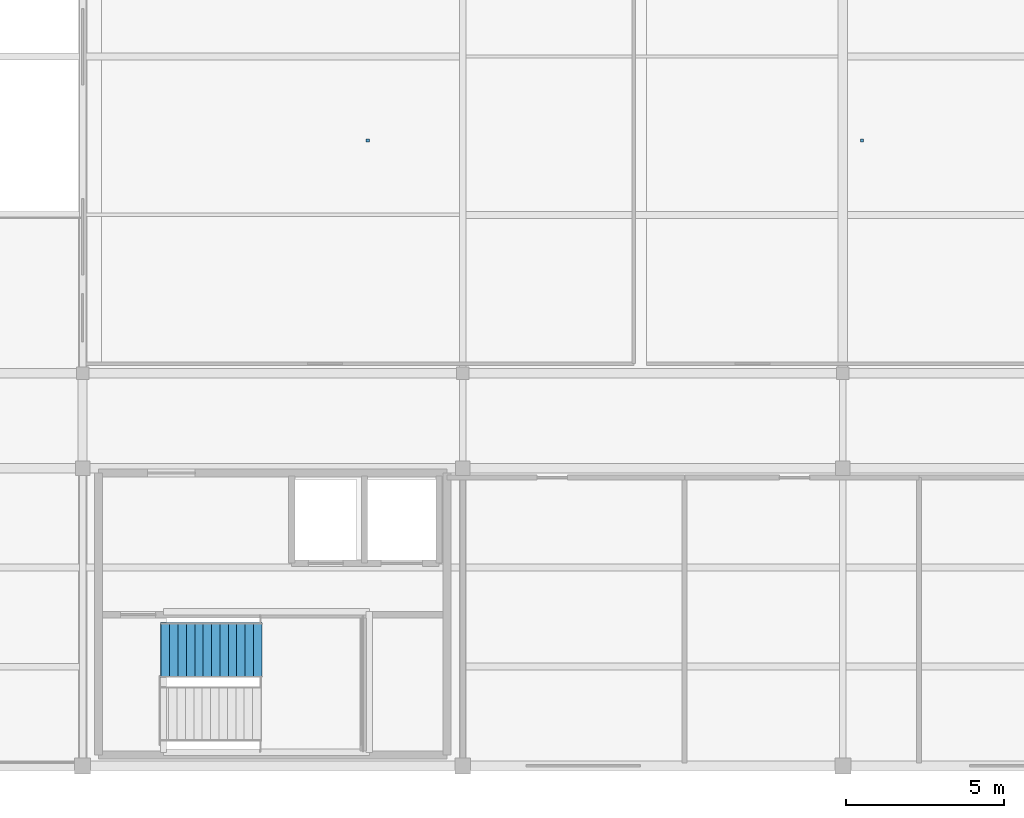
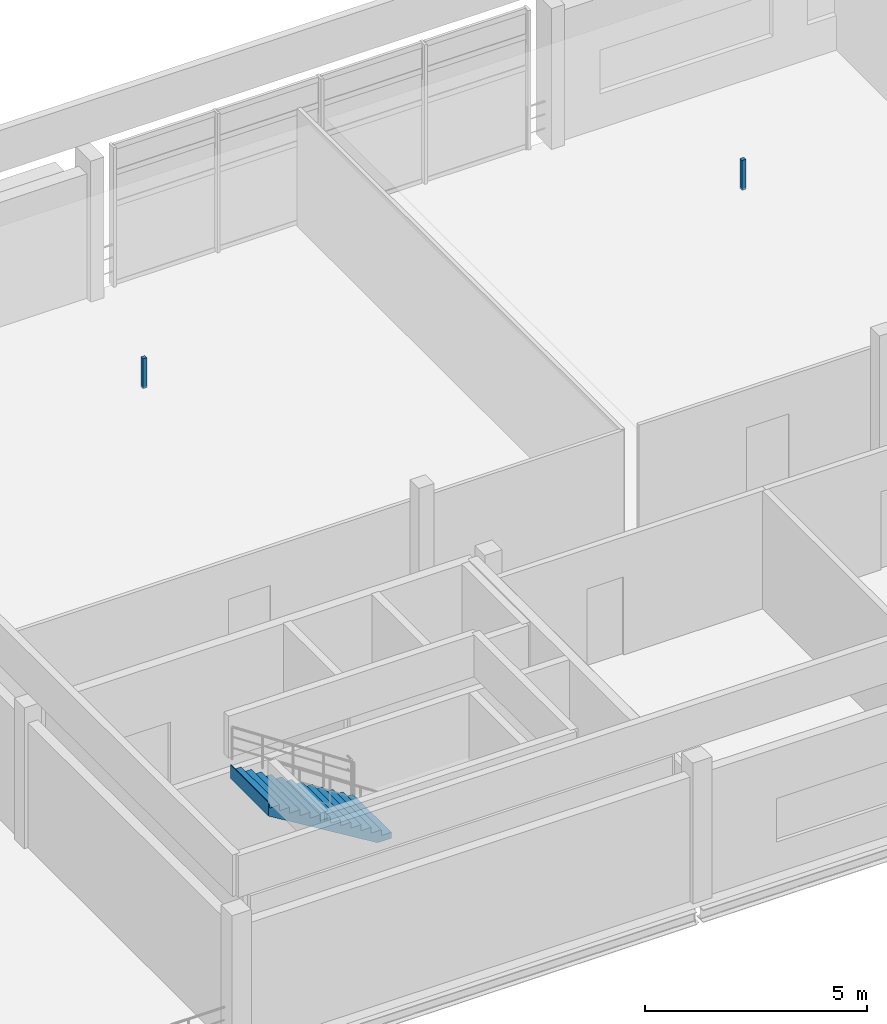
# One storey, part 7 of 9: 2 discrete accessories, 1 stair flight, 1 element without a shape of its own.
"""IFC4 building model written with IfcOpenShell, lengths in metres."""

from ifc_helpers import new_model, si_unit, direction, frame, origin, origin_2d, place, context, subcontext, project, spatial, polyline, rectangle, outline, extrude, material, layer, layer_set, type_object, element, aggregate, save


model = new_model("IFC4")

# Units and contexts
model_context = context("Model", 3, precision=1e-05, world=origin(), true_north=direction((0.0, 1.0)))
body_context = subcontext(model_context, "Body", "Model", "MODEL_VIEW")
ifc_project = project(units=[si_unit("LENGTHUNIT", "METRE"), si_unit("AREAUNIT", "SQUARE_METRE"), si_unit("VOLUMEUNIT", "CUBIC_METRE"), si_unit("PLANEANGLEUNIT", "RADIAN"), si_unit("MASSUNIT", "GRAM", prefix="KILO"), si_unit("THERMODYNAMICTEMPERATUREUNIT", "KELVIN"), si_unit("POWERUNIT", "WATT")], contexts=[model_context])

# Site, building, storey
site_placement = place(None, origin())
site = spatial("IfcSite", under=ifc_project, at=site_placement, CompositionType="ELEMENT")
building_placement = place(site_placement, origin())
building = spatial("IfcBuilding", under=site, at=building_placement, Name="Solmara Park Aquatics Centre", CompositionType="ELEMENT")
storey_placement = place(building_placement, frame((0.0, 0.0, 18.60009765625)))
storey = spatial("IfcBuildingStorey", under=building, at=storey_placement, Name="L04", CompositionType="ELEMENT", Elevation=18.60009765625)

# Stair, stair flight
ifc_material_1 = material(Name="Concrete C40/50", Category="concrete")
stair_type = type_object("IfcStairType", Name="ARC-ST-CORE", PredefinedType="HALF_TURN_STAIR", material=ifc_material_1)
stair_placement = place(storey_placement, origin())
stair = element("IfcStair", 1, at=stair_placement, inside=storey, type_object=stair_type, Name="ST-01 Protected Exit Stair (L04 to RF)", PredefinedType="HALF_TURN_STAIR")
ifc_layer = layer(ifc_material_1, 0.199951171875, Name="Concrete C40/50")
ifc_layer_set = layer_set([ifc_layer], Name="Concrete C40/50")
stair_flight_type = type_object("IfcStairFlightType", Name="ARC-STF-06", PredefinedType="STRAIGHT", material=ifc_layer_set)
stair_flight_placement = place(storey_placement, frame((54.260009765625, 112.264892578125, 2.099853515625), z_axis=(0.0, 0.0, 1.0), x_axis=(-1.0, 0.0, 0.0)))
stair_flight = element("IfcStairFlight", 2, at=stair_flight_placement, type_object=stair_flight_type, Name="ST-01 flight 2", NumberOfRisers=13, NumberOfTreads=12, PredefinedType="STRAIGHT", RiserHeight=0.16154, TreadLength=0.265, context=body_context, shape_type="SweptSolid", body=[
    extrude(outline(polyline([(0.0, 0.0), (0.0, 0.16162109375), (0.264892578125, 0.16162109375), (0.264892578125, 0.322998046875), (0.530029296875, 0.322998046875), (0.530029296875, 0.484619140625), (0.794921875, 0.484619140625), (0.794921875, 0.646240234375), (1.06005859375, 0.646240234375), (1.06005859375, 0.8076171875), (1.324951171875, 0.8076171875), (1.324951171875, 0.96923828125), (1.590087890625, 0.96923828125), (1.590087890625, 1.130859375), (1.85498046875, 1.130859375), (1.85498046875, 1.292236328125), (2.1201171875, 1.292236328125), (2.1201171875, 1.453857421875), (2.385009765625, 1.453857421875), (2.385009765625, 1.615478515625), (2.64990234375, 1.615478515625), (2.64990234375, 1.77685546875), (2.9150390625, 1.77685546875), (2.9150390625, 1.9384765625), (3.179931640625, 1.9384765625), (3.179931640625, 2.10009765625), (3.199951171875, 2.10009765625), (3.199951171875, 1.727783203125), (0.36572265625, 0.0), (0.0, 0.0)])), frame((0.0, 0.864990234375, 0.0), z_axis=(0.0, -1.0, 0.0), x_axis=(1.0, 0.0, 0.0)), (0.0, 0.0, 1.0), 1.72998046875),
])
aggregate(stair, [stair_flight])

# Discrete accessories
ifc_material_2 = material(Name="Galvanised Steel Ceiling Suspension Bracket", Category="steel")
discrete_accessory_type = type_object("IfcDiscreteAccessoryType", Name="ARC-ACC-HNG", PredefinedType="BRACKET", material=ifc_material_2)
for number, where, z_axis, x_axis, name in (
    (3, (57.60009765625, 128.35009765625, 3.080078125), (0.0, 0.0, 1.0), (1.0, 0.0, 0.0), "Ceiling Hanger Bracket L04-BRC-01"),
    (4, (73.199951171875, 128.35009765625, 3.080078125), (0.0, 0.0, 1.0), (1.0, 0.0, 0.0), "Ceiling Hanger Bracket L04-TIM-01"),
):
    element("IfcDiscreteAccessory", number, at=place(storey_placement, frame(where, z_axis=z_axis, x_axis=x_axis)), inside=storey, type_object=discrete_accessory_type, Name=name, PredefinedType="BRACKET", context=body_context, shape_type="SweptSolid", body=[
        extrude(rectangle(XDim=0.10009765625, YDim=0.10009765625, at=origin_2d()), origin(), (0.0, 0.0, 1.0), 0.820068359375),
    ])

save(model, "model.ifc")
